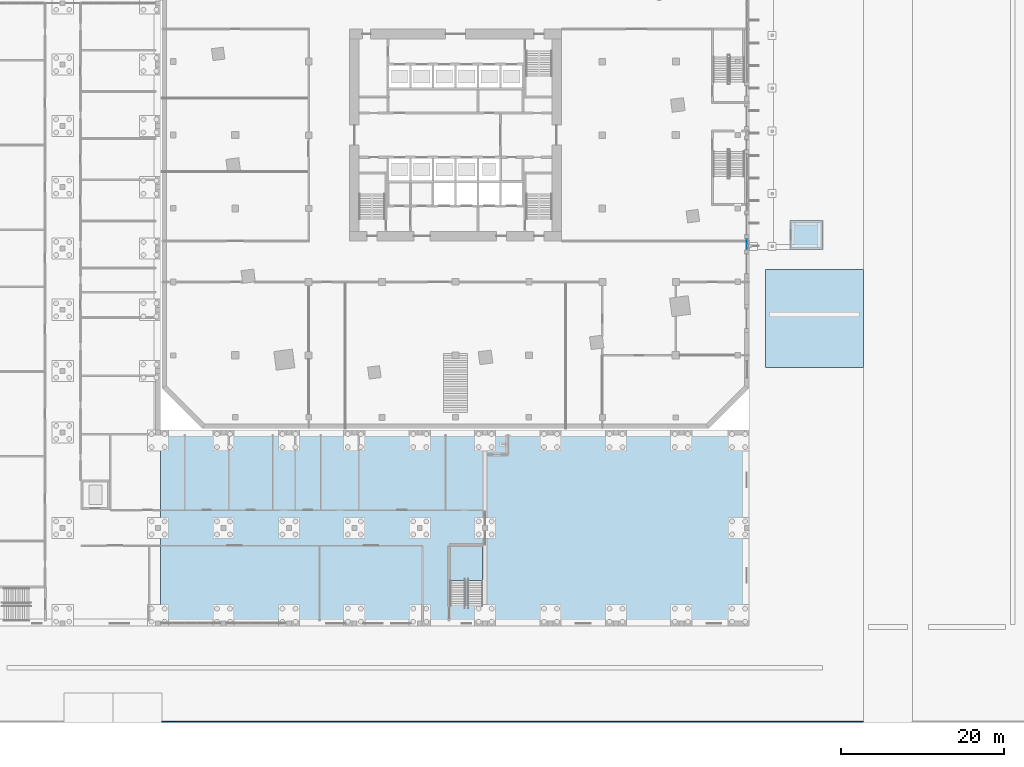
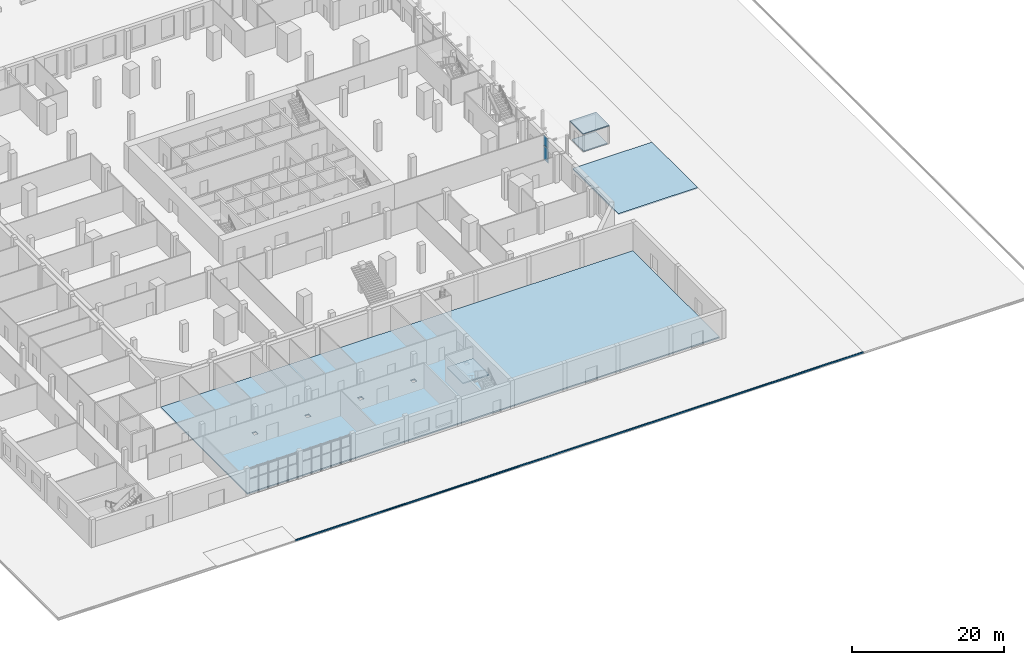
# One storey, part 16 of 42: 6 slabs, 2 plates, 2 elements without a shape of their own.
"""IFC4 building model written with IfcOpenShell, lengths in metres."""

from ifc_helpers import new_model, si_unit, direction, frame, origin, origin_2d, place, context, subcontext, project, spatial, polyline, rectangle, outline, extrude, material, layer, layer_set, type_object, element, aggregate, save


model = new_model("IFC4")

# Units and contexts
model_context = context("Model", 3, precision=1e-05, world=origin(), true_north=direction((0.0, 1.0)))
body_context = subcontext(model_context, "Body", "Model", "MODEL_VIEW")
ifc_project = project(units=[si_unit("LENGTHUNIT", "METRE"), si_unit("AREAUNIT", "SQUARE_METRE"), si_unit("VOLUMEUNIT", "CUBIC_METRE"), si_unit("PLANEANGLEUNIT", "RADIAN"), si_unit("MASSUNIT", "GRAM", prefix="KILO")], contexts=[model_context])

# Site, building, storey
site_placement = place(None, origin())
site = spatial("IfcSite", under=ifc_project, at=site_placement, CompositionType="ELEMENT")
building_placement = place(site_placement, origin())
building = spatial("IfcBuilding", under=site, at=building_placement, Name="Dilmun Exchange Tower", CompositionType="ELEMENT")
storey_placement = place(building_placement, origin())
storey = spatial("IfcBuildingStorey", under=building, at=storey_placement, Name="L00", CompositionType="ELEMENT", Elevation=0.0)

# Slab
ifc_material_1 = material(Name="Granite paving on Concrete C20/25 bed", Category="masonry")
ifc_layer_1 = layer(ifc_material_1, 0.14990234375)
ifc_layer_set_1 = layer_set([ifc_layer_1], Name="Granite paving on Concrete C20/25 bed")
slab_type_1 = type_object("IfcSlabType", Name="Boundary kerb course 150 granite", PredefinedType="USERDEFINED", material=ifc_layer_set_1)
slab_1_placement = place(storey_placement, frame((0.0, 0.0, -0.14990234375)))
element("IfcSlab", 1, at=slab_1_placement, inside=storey, type_object=slab_type_1, Name="Boundary kerb", ObjectType="PAVING", PredefinedType="USERDEFINED", context=body_context, shape_type="SweptSolid", body=[
    extrude(outline(polyline([(-36.0, -71.85009765625), (50.0, -71.85009765625), (50.0, -72.0), (-36.0, -72.0), (-36.0, -71.85009765625)])), origin(), (0.0, 0.0, 1.0), 0.14990234375),
])

# Curtain wall, plates
ifc_material_2 = material(Name="Anodised aluminium and clear glass", Category="aluminium")
curtain_wall_type = type_object("IfcCurtainWallType", Name="Concourse glazing", PredefinedType="NOTDEFINED", material=ifc_material_2)
curtain_wall_placement = place(storey_placement, origin())
curtain_wall = element("IfcCurtainWall", 2, at=curtain_wall_placement, inside=storey, type_object=curtain_wall_type, Name="Concourse glazing run CG3.5", PredefinedType="NOTDEFINED")
ifc_material_3 = material(Name="Clear glass", Category="glass")
ifc_layer_2 = layer(ifc_material_3, 0.0400390625)
ifc_layer_set_2 = layer_set([ifc_layer_2], Name="Clear glass")
plate_type = type_object("IfcPlateType", Name="Concourse glazing glass panel 40", PredefinedType="CURTAIN_PANEL", material=ifc_layer_set_2)
plate_1_placement = place(storey_placement, frame((35.699951171875, -13.39990234375, 0.080078125), z_axis=(0.0, 0.0, 1.0), x_axis=(0.0, 1.0, 0.0)))
plate_1 = element("IfcPlate", 3, at=plate_1_placement, type_object=plate_type, Name="CG3.5 panel 1.1", PredefinedType="CURTAIN_PANEL", context=body_context, shape_type="SweptSolid", body=[
    extrude(rectangle(XDim=1.239990234375, YDim=0.0400390625, at=origin_2d()), origin(), (0.0, 0.0, 1.0), 2.280029296875),
])
plate_2_placement = place(storey_placement, frame((35.699951171875, -13.39990234375, 2.43994140625), z_axis=(0.0, 0.0, 1.0), x_axis=(0.0, 1.0, 0.0)))
plate_2 = element("IfcPlate", 4, at=plate_2_placement, type_object=plate_type, Name="CG3.5 panel 1.2", PredefinedType="CURTAIN_PANEL", context=body_context, shape_type="SweptSolid", body=[
    extrude(rectangle(XDim=1.239990234375, YDim=0.0400390625, at=origin_2d()), origin(), (0.0, 0.0, 1.0), 1.580078125),
])
aggregate(curtain_wall, [plate_1, plate_2])

# Slabs
ifc_material_4 = material(Name="Asphalt on Concrete C20/25 base", Category="concrete")
ifc_layer_3 = layer(ifc_material_4, 0.199951171875)
ifc_layer_set_3 = layer_set([ifc_layer_3], Name="Asphalt on Concrete C20/25 base")
slab_type_2 = type_object("IfcSlabType", Name="Loading bay surface 200", PredefinedType="BASESLAB", material=ifc_layer_set_3)
slab_2_placement = place(storey_placement, frame((0.0, 0.0, -0.199951171875)))
element("IfcSlab", 5, at=slab_2_placement, inside=storey, type_object=slab_type_2, Name="Loading bay", PredefinedType="BASESLAB", context=body_context, shape_type="SweptSolid", body=[
    extrude(outline(polyline([(38.0, -28.5), (38.0, -16.5), (50.0, -16.5), (50.0, -28.5), (38.0, -28.5)])), origin(), (0.0, 0.0, 1.0), 0.199951171875),
])
ifc_material_5 = material(Name="Concrete C40/50", Category="concrete")
ifc_layer_4 = layer(ifc_material_5, 0.199951171875)
ifc_layer_set_4 = layer_set([ifc_layer_4], Name="Concrete C40/50")
slab_type_3 = type_object("IfcSlabType", Name="School slab on grade 200", PredefinedType="BASESLAB", material=ifc_layer_set_4)
slab_3_placement = place(storey_placement, frame((0.0, 0.0, -0.199951171875)))
element("IfcSlab", 6, at=slab_3_placement, inside=storey, type_object=slab_type_3, Name="School slab L00", PredefinedType="BASESLAB", context=body_context, shape_type="SweptSolid", body=[
    extrude(outline(polyline([(-28.133056640625, -36.75), (-20.717041015625, -36.75), (-20.116943359375, -36.75), (-12.699951171875, -36.75), (-12.10009765625, -36.75), (-4.68310546875, -36.75), (-4.0830078125, -36.75), (3.3330078125, -36.75), (3.93310546875, -36.75), (11.35009765625, -36.75), (11.949951171875, -36.75), (19.366943359375, -36.75), (19.967041015625, -36.75), (27.383056640625, -36.75), (27.98291015625, -36.75), (35.39990234375, -36.75), (35.39990234375, -59.550048828125), (-36.14990234375, -59.550048828125), (-36.14990234375, -36.75), (-28.73291015625, -36.75), (-28.133056640625, -36.75)]), holes=[polyline([(-28.73291015625, -47.85009765625), (-28.73291015625, -48.449951171875), (-28.133056640625, -48.449951171875), (-28.133056640625, -47.85009765625), (-28.73291015625, -47.85009765625)]), polyline([(-12.699951171875, -47.85009765625), (-12.699951171875, -48.449951171875), (-12.10009765625, -48.449951171875), (-12.10009765625, -47.85009765625), (-12.699951171875, -47.85009765625)]), polyline([(-4.68310546875, -47.85009765625), (-4.68310546875, -48.449951171875), (-4.0830078125, -48.449951171875), (-4.0830078125, -47.85009765625), (-4.68310546875, -47.85009765625)]), polyline([(3.3330078125, -47.85009765625), (3.3330078125, -48.449951171875), (3.93310546875, -48.449951171875), (3.93310546875, -47.85009765625), (3.3330078125, -47.85009765625)]), polyline([(-20.717041015625, -47.85009765625), (-20.717041015625, -48.449951171875), (-20.116943359375, -48.449951171875), (-20.116943359375, -47.85009765625), (-20.717041015625, -47.85009765625)])]), origin(), (0.0, 0.0, 1.0), 0.199951171875),
])

# Stair, slab
stair_type = type_object("IfcStairType", Name="School exit stair 1850 wide", PredefinedType="HALF_TURN_STAIR", material=ifc_material_5)
stair_placement = place(storey_placement, origin())
stair = element("IfcStair", 7, at=stair_placement, inside=storey, type_object=stair_type, Name="L00 Stair S3", PredefinedType="HALF_TURN_STAIR")
ifc_layer_5 = layer(ifc_material_5, 0.199951171875)
ifc_layer_set_5 = layer_set([ifc_layer_5], Name="Concrete C40/50")
slab_type_4 = type_object("IfcSlabType", Name="School stair landing 200", PredefinedType="LANDING", material=ifc_layer_set_5)
slab_4_placement = place(storey_placement, frame((0.0, 0.0, 2.050048828125)))
slab_4 = element("IfcSlab", 8, at=slab_4_placement, type_object=slab_type_4, Name="SCH-S3 landing 1", PredefinedType="LANDING", context=body_context, shape_type="SweptSolid", body=[
    extrude(outline(polyline([(3.3330078125, -54.6298828125), (3.3330078125, -50.39990234375), (-0.64697265625, -50.39990234375), (-0.64697265625, -54.6298828125), (3.3330078125, -54.6298828125)])), origin(), (0.0, 0.0, 1.0), 0.199951171875),
])
aggregate(stair, [slab_4])

# Slabs
ifc_material_6 = material(Name="Concrete C32/40", Category="concrete")
ifc_layer_6 = layer(ifc_material_6, 0.14990234375)
ifc_layer_set_6 = layer_set([ifc_layer_6], Name="Concrete C32/40")
slab_type_5 = type_object("IfcSlabType", Name="Store floor slab 150", PredefinedType="BASESLAB", material=ifc_layer_set_6)
slab_5_placement = place(storey_placement, frame((0.0, 0.0, -0.14990234375)))
element("IfcSlab", 9, at=slab_5_placement, inside=storey, type_object=slab_type_5, Name="Refuse store floor", PredefinedType="BASESLAB", context=body_context, shape_type="SweptSolid", body=[
    extrude(outline(polyline([(41.199951171875, -13.800048828125), (41.199951171875, -10.699951171875), (44.800048828125, -10.699951171875), (44.800048828125, -13.800048828125), (41.199951171875, -13.800048828125)])), origin(), (0.0, 0.0, 1.0), 0.14990234375),
])
ifc_layer_7 = layer(ifc_material_6, 0.14990234375)
ifc_layer_set_7 = layer_set([ifc_layer_7], Name="Concrete C32/40")
slab_type_6 = type_object("IfcSlabType", Name="Store roof slab 150", PredefinedType="ROOF", material=ifc_layer_set_7)
slab_6_placement = place(storey_placement, frame((0.0, 0.0, 2.800048828125)))
element("IfcSlab", 10, at=slab_6_placement, inside=storey, type_object=slab_type_6, Name="Refuse store roof", PredefinedType="ROOF", context=body_context, shape_type="SweptSolid", body=[
    extrude(outline(polyline([(41.0, -14.0), (41.0, -10.5), (45.0, -10.5), (45.0, -14.0), (41.0, -14.0)])), origin(), (0.0, 0.0, 1.0), 0.14990234375),
])

save(model, "model.ifc")
